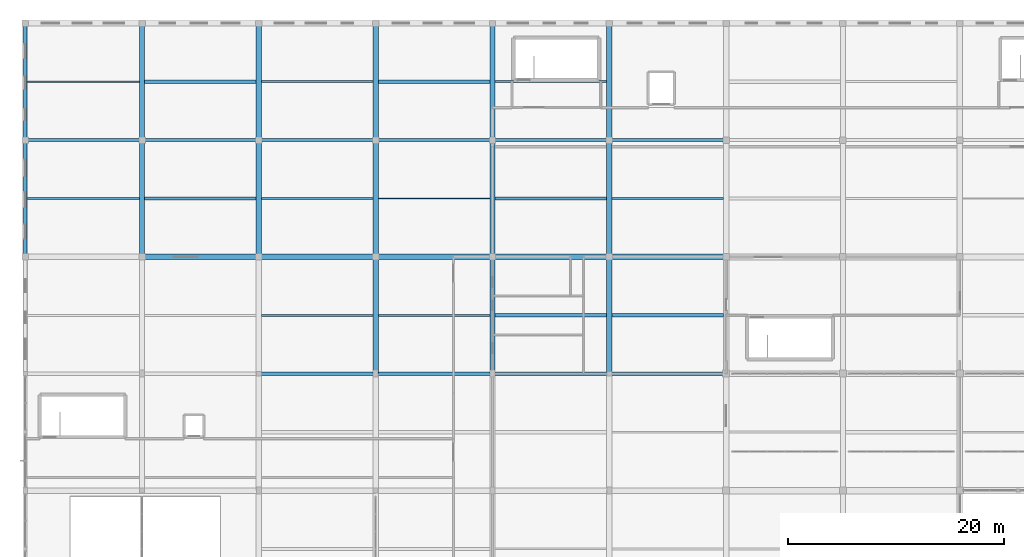
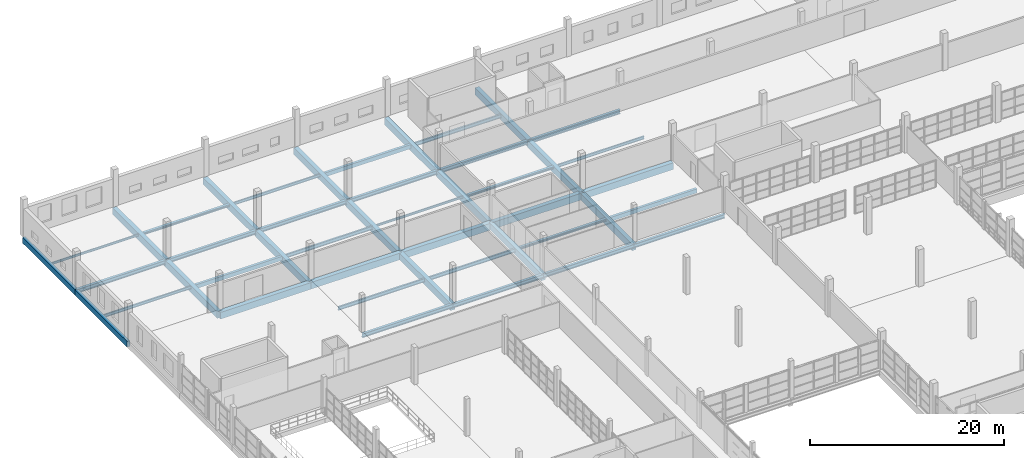
# One storey, part 39 of 142: 45 beams.
"""IFC4 building model written with IfcOpenShell, lengths in metres."""

from ifc_helpers import new_model, si_unit, direction, frame, origin, origin_2d, place, context, subcontext, project, spatial, rectangle, i_section, extrude, material, material_profile, profile_set, type_object, element, save


model = new_model("IFC4")

# Units and contexts
model_context = context("Model", 3, precision=1e-05, world=origin(), true_north=direction((0.0, 1.0)))
body_context = subcontext(model_context, "Body", "Model", "MODEL_VIEW")
ifc_project = project(units=[si_unit("LENGTHUNIT", "METRE"), si_unit("AREAUNIT", "SQUARE_METRE"), si_unit("VOLUMEUNIT", "CUBIC_METRE"), si_unit("PLANEANGLEUNIT", "RADIAN"), si_unit("MASSUNIT", "GRAM", prefix="KILO")], contexts=[model_context])

# Site, building, storey
site_placement = place(None, origin())
site = spatial("IfcSite", under=ifc_project, at=site_placement, CompositionType="ELEMENT")
building_placement = place(site_placement, origin())
building = spatial("IfcBuilding", under=site, at=building_placement, Name="Zwinboog Wholesale Market", CompositionType="ELEMENT")
storey_placement = place(building_placement, frame((0.0, 0.0, 5.39990234375)))
storey = spatial("IfcBuildingStorey", under=building, at=storey_placement, Name="L01", CompositionType="ELEMENT", Elevation=5.39990234375)

# Beams
ifc_material_1 = material(Name="Precast concrete C45/55", Category="concrete")
ifc_material_profile_1 = material_profile(ifc_material_1, rectangle(XDim=0.5, YDim=0.85009765625, at=origin_2d()), Name="PC 500x850")
ifc_profile_set_1 = profile_set([ifc_material_profile_1], Name="Precast concrete C45/55")
beam_type_1 = type_object("IfcBeamType", Name="BT-03", PredefinedType="BEAM", material=ifc_profile_set_1)
beam_1_placement = place(storey_placement, frame((10.800048828125, 108.0, -0.72998046875), z_axis=(1.0, 0.0, 0.0), x_axis=(0.0, 1.0, 0.0)))
element("IfcBeam", 1, at=beam_1_placement, inside=storey, type_object=beam_type_1, Name="BG-03 (BMG-L01-0108-1080-0542)", PredefinedType="BEAM", context=body_context, shape_type="SweptSolid", body=[
    extrude(rectangle(XDim=0.5, YDim=0.85009765625, at=origin_2d()), origin(), (0.0, 0.0, 1.0), 10.800048828125),
])
beam_2_placement = place(storey_placement, frame((21.60009765625, 108.0, -0.72998046875), z_axis=(1.0, 0.0, 0.0), x_axis=(0.0, 1.0, 0.0)))
element("IfcBeam", 2, at=beam_2_placement, inside=storey, type_object=beam_type_1, Name="BG-03 (BMG-L01-0216-1080-0543)", PredefinedType="BEAM", context=body_context, shape_type="SweptSolid", body=[
    extrude(rectangle(XDim=0.5, YDim=0.85009765625, at=origin_2d()), origin(), (0.0, 0.0, 1.0), 10.7998046875),
])
for number, where, z_axis, x_axis, name in (
    (3, (32.39990234375, 108.0, -0.7568359375), (1.0, 0.0, 0.0), (0.0, 1.0, 0.0), "BG-03 (BMG-L01-0324-1080-0544)"),
    (4, (43.199951171875, 108.0, -0.7568359375), (1.0, 0.0, 0.0), (0.0, 1.0, 0.0), "BG-03 (BMG-L01-0432-1080-0545)"),
    (5, (54.0, 108.0, -0.7568359375), (1.0, 0.0, 0.0), (0.0, 1.0, 0.0), "BG-03 (BMG-L01-0540-1080-0546)"),
    (6, (10.800048828125, 108.0, -0.704833984375), (0.0, 1.0, 0.0), (-1.0, 0.0, 0.0), "BG-03 (BMG-L01-0108-1080-0621)"),
    (7, (10.800048828125, 118.800048828125, -0.679931640625), (0.0, 1.0, 0.0), (-1.0, 0.0, 0.0), "BG-03 (BMG-L01-0108-1188-0622)"),
    (8, (21.60009765625, 108.0, -0.72998046875), (0.0, 1.0, 0.0), (-1.0, 0.0, 0.0), "BG-03 (BMG-L01-0216-1080-0633)"),
    (9, (21.60009765625, 118.800048828125, -0.679931640625), (0.0, 1.0, 0.0), (-1.0, 0.0, 0.0), "BG-03 (BMG-L01-0216-1188-0634)"),
    (10, (32.39990234375, 97.199951171875, -0.72998046875), (0.0, 1.0, 0.0), (-1.0, 0.0, 0.0), "BG-03 (BMG-L01-0324-0972-0644)"),
    (11, (32.39990234375, 108.0, -0.72998046875), (0.0, 1.0, 0.0), (-1.0, 0.0, 0.0), "BG-03 (BMG-L01-0324-1080-0645)"),
    (12, (32.39990234375, 118.800048828125, -0.679931640625), (0.0, 1.0, 0.0), (-1.0, 0.0, 0.0), "BG-03 (BMG-L01-0324-1188-0646)"),
    (13, (43.199951171875, 97.199951171875, -0.7568359375), (0.0, 1.0, 0.0), (-1.0, 0.0, 0.0), "BG-03 (BMG-L01-0432-0972-0656)"),
    (14, (43.199951171875, 108.0, -0.7568359375), (0.0, 1.0, 0.0), (-1.0, 0.0, 0.0), "BG-03 (BMG-L01-0432-1080-0657)"),
    (15, (43.199951171875, 118.800048828125, -0.704833984375), (0.0, 1.0, 0.0), (-1.0, 0.0, 0.0), "BG-03 (BMG-L01-0432-1188-0658)"),
    (16, (54.0, 97.199951171875, -0.7568359375), (0.0, 1.0, 0.0), (-1.0, 0.0, 0.0), "BG-03 (BMG-L01-0540-0972-0662)"),
    (17, (54.0, 108.0, -0.7568359375), (0.0, 1.0, 0.0), (-1.0, 0.0, 0.0), "BG-03 (BMG-L01-0540-1080-0663)"),
    (18, (54.0, 118.800048828125, -0.704833984375), (0.0, 1.0, 0.0), (-1.0, 0.0, 0.0), "BG-03 (BMG-L01-0540-1188-0664)"),
):
    element("IfcBeam", number, at=place(storey_placement, frame(where, z_axis=z_axis, x_axis=x_axis)), inside=storey, type_object=beam_type_1, Name=name, PredefinedType="BEAM", context=body_context, shape_type="SweptSolid", body=[
        extrude(rectangle(XDim=0.5, YDim=0.85009765625, at=origin_2d()), origin(), (0.0, 0.0, 1.0), 10.800048828125),
    ])
ifc_material_profile_2 = material_profile(ifc_material_1, rectangle(XDim=0.35009765625, YDim=0.699951171875, at=origin_2d()), Name="PC 350x700")
ifc_profile_set_2 = profile_set([ifc_material_profile_2], Name="Precast concrete C45/55")
beam_type_2 = type_object("IfcBeamType", Name="BT-08", PredefinedType="SPANDREL", material=ifc_profile_set_2)
for number, where, z_axis, x_axis, name in (
    (19, (0.0, 108.0, -0.6298828125), (0.0, 1.0, 0.0), (-1.0, 0.0, 0.0), "SP-01 (BMG-L01-0000-1080-0611)"),
    (20, (0.0, 118.800048828125, -0.60498046875), (0.0, 1.0, 0.0), (-1.0, 0.0, 0.0), "SP-01 (BMG-L01-0000-1188-0612)"),
):
    element("IfcBeam", number, at=place(storey_placement, frame(where, z_axis=z_axis, x_axis=x_axis)), inside=storey, type_object=beam_type_2, Name=name, PredefinedType="SPANDREL", context=body_context, shape_type="SweptSolid", body=[
        extrude(rectangle(XDim=0.35009765625, YDim=0.699951171875, at=origin_2d()), origin(), (0.0, 0.0, 1.0), 10.800048828125),
    ])
ifc_material_profile_3 = material_profile(ifc_material_1, rectangle(XDim=0.300048828125, YDim=0.5, at=origin_2d()), Name="PC 300x500")
ifc_profile_set_3 = profile_set([ifc_material_profile_3], Name="Precast concrete C45/55")
beam_type_3 = type_object("IfcBeamType", Name="BT-10", PredefinedType="JOIST", material=ifc_profile_set_3)
for number, where, z_axis, x_axis, name in (
    (21, (54.25, 102.60009765625, -0.581787109375), (1.0, 0.0, 0.0), (0.0, 1.0, 0.0), "BJ-01 (BMG-L01-0542-1026-0816)"),
    (22, (11.050048828125, 113.39990234375, -0.5048828125), (1.0, 0.0, 0.0), (0.0, 1.0, 0.0), "BJ-01 (BMG-L01-0110-1134-0858)"),
    (23, (32.64990234375, 124.199951171875, -0.52978515625), (1.0, 0.0, 0.0), (0.0, 1.0, 0.0), "BJ-01 (BMG-L01-0326-1242-0863)"),
):
    element("IfcBeam", number, at=place(storey_placement, frame(where, z_axis=z_axis, x_axis=x_axis)), inside=storey, type_object=beam_type_3, Name=name, PredefinedType="JOIST", context=body_context, shape_type="SweptSolid", body=[
        extrude(rectangle(XDim=0.300048828125, YDim=0.5, at=origin_2d()), origin(), (0.0, 0.0, 1.0), 10.300048828125),
    ])
ifc_material_2 = material(Name="Steel S355", Category="steel")
ifc_material_profile_4 = material_profile(ifc_material_2, i_section(OverallWidth=0.300048828125, OverallDepth=0.5, WebThickness=0.014404296875, FlangeThickness=0.028076171875, FilletRadius=0.027099609375, at=origin_2d()), Name="HEB 500")
ifc_profile_set_4 = profile_set([ifc_material_profile_4], Name="Steel S355")
beam_type_4 = type_object("IfcBeamType", Name="BT-14", PredefinedType="BEAM", material=ifc_profile_set_4)
beam_3_placement = place(storey_placement, frame((21.60009765625, 97.199951171875, -0.554931640625), z_axis=(1.0, 0.0, 0.0), x_axis=(0.0, 1.0, 0.0)))
element("IfcBeam", 24, at=beam_3_placement, inside=storey, type_object=beam_type_4, Name="SB-01 (BMG-L01-0216-0972-0527)", PredefinedType="BEAM", context=body_context, shape_type="SweptSolid", body=[
    extrude(i_section(OverallWidth=0.300048828125, OverallDepth=0.5, WebThickness=0.014404296875, FlangeThickness=0.028076171875, FilletRadius=0.027099609375, at=origin_2d()), origin(), (0.0, 0.0, 1.0), 10.7998046875),
])
for number, where, z_axis, x_axis, name in (
    (25, (32.39990234375, 97.199951171875, -0.581787109375), (1.0, 0.0, 0.0), (0.0, 1.0, 0.0), "SB-01 (BMG-L01-0324-0972-0528)"),
    (26, (43.199951171875, 97.199951171875, -0.581787109375), (1.0, 0.0, 0.0), (0.0, 1.0, 0.0), "SB-01 (BMG-L01-0432-0972-0529)"),
    (27, (54.0, 97.199951171875, -0.581787109375), (1.0, 0.0, 0.0), (0.0, 1.0, 0.0), "SB-01 (BMG-L01-0540-0972-0530)"),
    (28, (0.0, 118.800048828125, -0.5048828125), (1.0, 0.0, 0.0), (0.0, 1.0, 0.0), "SB-01 (BMG-L01-0000-1188-0561)"),
    (29, (10.800048828125, 118.800048828125, -0.5048828125), (1.0, 0.0, 0.0), (0.0, 1.0, 0.0), "SB-01 (BMG-L01-0108-1188-0562)"),
):
    element("IfcBeam", number, at=place(storey_placement, frame(where, z_axis=z_axis, x_axis=x_axis)), inside=storey, type_object=beam_type_4, Name=name, PredefinedType="BEAM", context=body_context, shape_type="SweptSolid", body=[
        extrude(i_section(OverallWidth=0.300048828125, OverallDepth=0.5, WebThickness=0.014404296875, FlangeThickness=0.028076171875, FilletRadius=0.027099609375, at=origin_2d()), origin(), (0.0, 0.0, 1.0), 10.800048828125),
    ])
beam_4_placement = place(storey_placement, frame((21.60009765625, 118.800048828125, -0.5048828125), z_axis=(1.0, 0.0, 0.0), x_axis=(0.0, 1.0, 0.0)))
element("IfcBeam", 30, at=beam_4_placement, inside=storey, type_object=beam_type_4, Name="SB-01 (BMG-L01-0216-1188-0563)", PredefinedType="BEAM", context=body_context, shape_type="SweptSolid", body=[
    extrude(i_section(OverallWidth=0.300048828125, OverallDepth=0.5, WebThickness=0.014404296875, FlangeThickness=0.028076171875, FilletRadius=0.027099609375, at=origin_2d()), origin(), (0.0, 0.0, 1.0), 10.7998046875),
])
for number, where, z_axis, x_axis, name in (
    (31, (32.39990234375, 118.800048828125, -0.52978515625), (1.0, 0.0, 0.0), (0.0, 1.0, 0.0), "SB-01 (BMG-L01-0324-1188-0564)"),
    (32, (43.199951171875, 118.800048828125, -0.52978515625), (1.0, 0.0, 0.0), (0.0, 1.0, 0.0), "SB-01 (BMG-L01-0432-1188-0565)"),
    (33, (54.0, 118.800048828125, -0.52978515625), (1.0, 0.0, 0.0), (0.0, 1.0, 0.0), "SB-01 (BMG-L01-0540-1188-0566)"),
):
    element("IfcBeam", number, at=place(storey_placement, frame(where, z_axis=z_axis, x_axis=x_axis)), inside=storey, type_object=beam_type_4, Name=name, PredefinedType="BEAM", context=body_context, shape_type="SweptSolid", body=[
        extrude(i_section(OverallWidth=0.300048828125, OverallDepth=0.5, WebThickness=0.014404296875, FlangeThickness=0.028076171875, FilletRadius=0.027099609375, at=origin_2d()), origin(), (0.0, 0.0, 1.0), 10.800048828125),
    ])
ifc_material_profile_5 = material_profile(ifc_material_2, i_section(OverallWidth=0.300048828125, OverallDepth=0.2900390625, WebThickness=0.008544921875, FlangeThickness=0.013916015625, FilletRadius=0.027099609375, at=origin_2d()), Name="HEA 300")
ifc_profile_set_5 = profile_set([ifc_material_profile_5], Name="Steel S355")
beam_type_5 = type_object("IfcBeamType", Name="BT-18", PredefinedType="JOIST", material=ifc_profile_set_5)
for number, where, z_axis, x_axis, name in (
    (34, (43.449951171875, 102.60009765625, -0.476806640625), (1.0, 0.0, 0.0), (0.0, 1.0, 0.0), "SJ-01 (BMG-L01-0434-1026-0812)"),
    (35, (11.050048828125, 124.199951171875, -0.39990234375), (1.0, 0.0, 0.0), (0.0, 1.0, 0.0), "SJ-01 (BMG-L01-0110-1242-0859)"),
    (36, (43.449951171875, 113.39990234375, -0.4248046875), (1.0, 0.0, 0.0), (0.0, 1.0, 0.0), "SJ-01 (BMG-L01-0434-1134-0864)"),
):
    element("IfcBeam", number, at=place(storey_placement, frame(where, z_axis=z_axis, x_axis=x_axis)), inside=storey, type_object=beam_type_5, Name=name, PredefinedType="JOIST", context=body_context, shape_type="SweptSolid", body=[
        extrude(i_section(OverallWidth=0.300048828125, OverallDepth=0.2900390625, WebThickness=0.008544921875, FlangeThickness=0.013916015625, FilletRadius=0.027099609375, at=origin_2d()), origin(), (0.0, 0.0, 1.0), 10.300048828125),
    ])
ifc_material_profile_6 = material_profile(ifc_material_2, i_section(OverallWidth=0.18994140625, OverallDepth=0.449951171875, WebThickness=0.009521484375, FlangeThickness=0.0146484375, FilletRadius=0.02099609375, at=origin_2d()), Name="IPE 450")
ifc_profile_set_6 = profile_set([ifc_material_profile_6], Name="Steel S355")
beam_type_6 = type_object("IfcBeamType", Name="BT-19", PredefinedType="JOIST", material=ifc_profile_set_6)
beam_5_placement = place(storey_placement, frame((21.85009765625, 102.60009765625, -0.52978515625), z_axis=(1.0, 0.0, 0.0), x_axis=(0.0, 1.0, 0.0)))
element("IfcBeam", 37, at=beam_5_placement, inside=storey, type_object=beam_type_6, Name="SJ-02 (BMG-L01-0218-1026-0803)", PredefinedType="JOIST", context=body_context, shape_type="SweptSolid", body=[
    extrude(i_section(OverallWidth=0.18994140625, OverallDepth=0.449951171875, WebThickness=0.009521484375, FlangeThickness=0.0146484375, FilletRadius=0.02099609375, at=origin_2d()), origin(), (0.0, 0.0, 1.0), 10.2998046875),
])
beam_6_placement = place(storey_placement, frame((32.64990234375, 102.60009765625, -0.556884765625), z_axis=(1.0, 0.0, 0.0), x_axis=(0.0, 1.0, 0.0)))
element("IfcBeam", 38, at=beam_6_placement, inside=storey, type_object=beam_type_6, Name="SJ-02 (BMG-L01-0326-1026-0808)", PredefinedType="JOIST", context=body_context, shape_type="SweptSolid", body=[
    extrude(i_section(OverallWidth=0.18994140625, OverallDepth=0.449951171875, WebThickness=0.009521484375, FlangeThickness=0.0146484375, FilletRadius=0.02099609375, at=origin_2d()), origin(), (0.0, 0.0, 1.0), 10.300048828125),
])
beam_7_placement = place(storey_placement, frame((21.85009765625, 113.39990234375, -0.47998046875), z_axis=(1.0, 0.0, 0.0), x_axis=(0.0, 1.0, 0.0)))
element("IfcBeam", 39, at=beam_7_placement, inside=storey, type_object=beam_type_6, Name="SJ-02 (BMG-L01-0218-1134-0860)", PredefinedType="JOIST", context=body_context, shape_type="SweptSolid", body=[
    extrude(i_section(OverallWidth=0.18994140625, OverallDepth=0.449951171875, WebThickness=0.009521484375, FlangeThickness=0.0146484375, FilletRadius=0.02099609375, at=origin_2d()), origin(), (0.0, 0.0, 1.0), 10.2998046875),
])
beam_8_placement = place(storey_placement, frame((43.449951171875, 124.199951171875, -0.5048828125), z_axis=(1.0, 0.0, 0.0), x_axis=(0.0, 1.0, 0.0)))
element("IfcBeam", 40, at=beam_8_placement, inside=storey, type_object=beam_type_6, Name="SJ-02 (BMG-L01-0434-1242-0865)", PredefinedType="JOIST", context=body_context, shape_type="SweptSolid", body=[
    extrude(i_section(OverallWidth=0.18994140625, OverallDepth=0.449951171875, WebThickness=0.009521484375, FlangeThickness=0.0146484375, FilletRadius=0.02099609375, at=origin_2d()), origin(), (0.0, 0.0, 1.0), 10.300048828125),
])
ifc_material_profile_7 = material_profile(ifc_material_2, i_section(OverallWidth=0.169921875, OverallDepth=0.360107421875, WebThickness=0.008056640625, FlangeThickness=0.0126953125, FilletRadius=0.01806640625, at=origin_2d()), Name="IPE 360")
ifc_profile_set_7 = profile_set([ifc_material_profile_7], Name="Steel S355")
beam_type_7 = type_object("IfcBeamType", Name="BT-20", PredefinedType="JOIST", material=ifc_profile_set_7)
beam_9_placement = place(storey_placement, frame((0.175048828125, 113.39990234375, -0.434814453125), z_axis=(1.0, 0.0, 0.0), x_axis=(0.0, 1.0, 0.0)))
element("IfcBeam", 41, at=beam_9_placement, inside=storey, type_object=beam_type_7, Name="SJ-03 (BMG-L01-0002-1134-0856)", PredefinedType="JOIST", context=body_context, shape_type="SweptSolid", body=[
    extrude(i_section(OverallWidth=0.169921875, OverallDepth=0.360107421875, WebThickness=0.008056640625, FlangeThickness=0.0126953125, FilletRadius=0.01806640625, at=origin_2d()), origin(), (0.0, 0.0, 1.0), 10.375),
])
beam_10_placement = place(storey_placement, frame((21.85009765625, 124.199951171875, -0.434814453125), z_axis=(1.0, 0.0, 0.0), x_axis=(0.0, 1.0, 0.0)))
element("IfcBeam", 42, at=beam_10_placement, inside=storey, type_object=beam_type_7, Name="SJ-03 (BMG-L01-0218-1242-0861)", PredefinedType="JOIST", context=body_context, shape_type="SweptSolid", body=[
    extrude(i_section(OverallWidth=0.169921875, OverallDepth=0.360107421875, WebThickness=0.008056640625, FlangeThickness=0.0126953125, FilletRadius=0.01806640625, at=origin_2d()), origin(), (0.0, 0.0, 1.0), 10.2998046875),
])
beam_11_placement = place(storey_placement, frame((54.25, 113.39990234375, -0.4599609375), z_axis=(1.0, 0.0, 0.0), x_axis=(0.0, 1.0, 0.0)))
element("IfcBeam", 43, at=beam_11_placement, inside=storey, type_object=beam_type_7, Name="SJ-03 (BMG-L01-0542-1134-0866)", PredefinedType="JOIST", context=body_context, shape_type="SweptSolid", body=[
    extrude(i_section(OverallWidth=0.169921875, OverallDepth=0.360107421875, WebThickness=0.008056640625, FlangeThickness=0.0126953125, FilletRadius=0.01806640625, at=origin_2d()), origin(), (0.0, 0.0, 1.0), 10.300048828125),
])
ifc_material_profile_8 = material_profile(ifc_material_2, i_section(OverallWidth=0.135009765625, OverallDepth=0.27001953125, WebThickness=0.006591796875, FlangeThickness=0.01025390625, FilletRadius=0.014892578125, at=origin_2d()), Name="IPE 270")
ifc_profile_set_8 = profile_set([ifc_material_profile_8], Name="Steel S355")
beam_type_8 = type_object("IfcBeamType", Name="BT-21", PredefinedType="JOIST", material=ifc_profile_set_8)
beam_12_placement = place(storey_placement, frame((0.175048828125, 124.199951171875, -0.389892578125), z_axis=(1.0, 0.0, 0.0), x_axis=(0.0, 1.0, 0.0)))
element("IfcBeam", 44, at=beam_12_placement, inside=storey, type_object=beam_type_8, Name="SJ-04 (BMG-L01-0002-1242-0857)", PredefinedType="JOIST", context=body_context, shape_type="SweptSolid", body=[
    extrude(i_section(OverallWidth=0.135009765625, OverallDepth=0.27001953125, WebThickness=0.006591796875, FlangeThickness=0.01025390625, FilletRadius=0.014892578125, at=origin_2d()), origin(), (0.0, 0.0, 1.0), 10.375),
])
beam_13_placement = place(storey_placement, frame((32.64990234375, 113.39990234375, -0.414794921875), z_axis=(1.0, 0.0, 0.0), x_axis=(0.0, 1.0, 0.0)))
element("IfcBeam", 45, at=beam_13_placement, inside=storey, type_object=beam_type_8, Name="SJ-04 (BMG-L01-0326-1134-0862)", PredefinedType="JOIST", context=body_context, shape_type="SweptSolid", body=[
    extrude(i_section(OverallWidth=0.135009765625, OverallDepth=0.27001953125, WebThickness=0.006591796875, FlangeThickness=0.01025390625, FilletRadius=0.014892578125, at=origin_2d()), origin(), (0.0, 0.0, 1.0), 10.300048828125),
])

save(model, "model.ifc")
